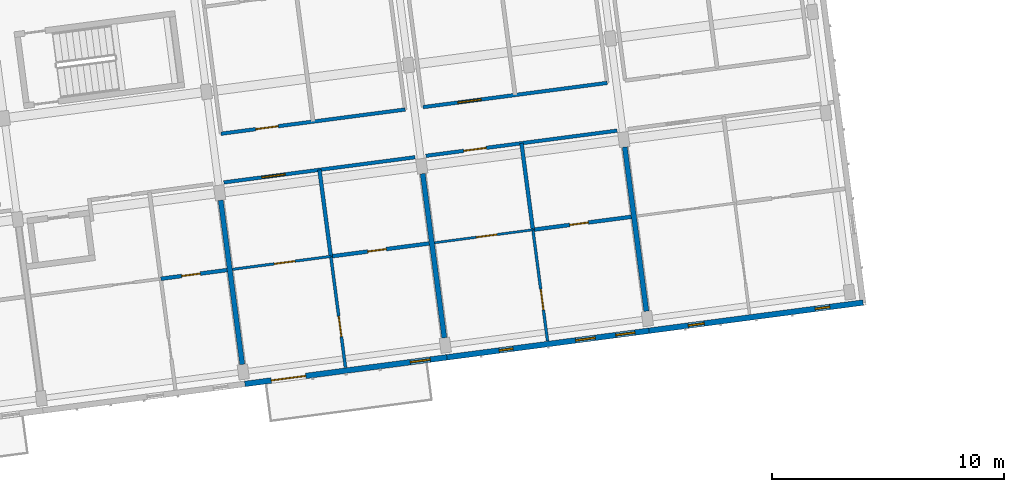
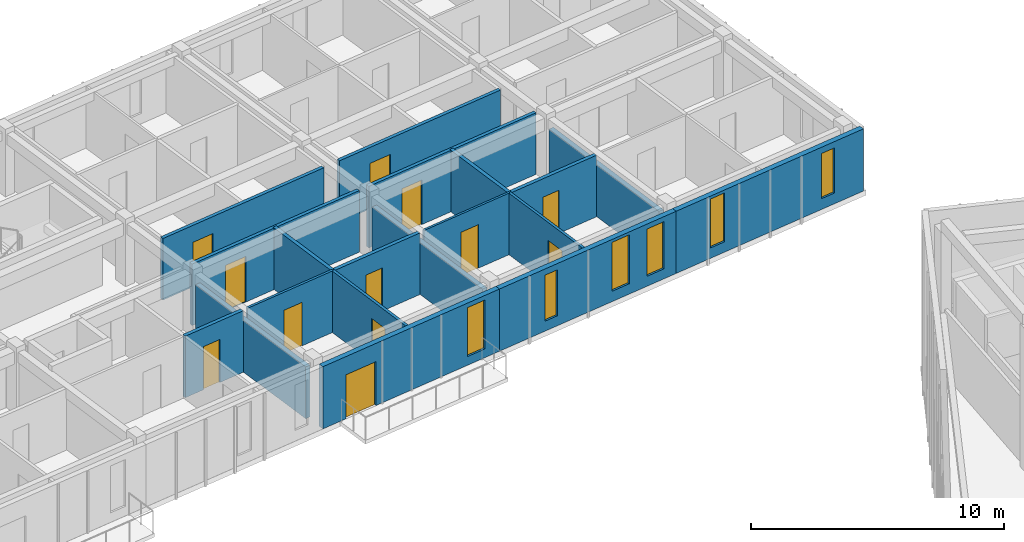
# One storey, part 20 of 45: 19 walls, 12 doors, 6 windows, 18 openings.
"""IFC4 building model written with IfcOpenShell, lengths in metres."""

from ifc_helpers import new_model, si_unit, direction, frame, frame_2d, origin, place, context, subcontext, project, spatial, rectangle, extrude, material, layer, layer_set, type_object, element, fill, save


model = new_model("IFC4")

# Units and contexts
model_context = context("Model", 3, precision=1e-05, world=origin(), true_north=direction((0.0, 1.0)))
body_context = subcontext(model_context, "Body", "Model", "MODEL_VIEW")
ifc_project = project(units=[si_unit("LENGTHUNIT", "METRE"), si_unit("AREAUNIT", "SQUARE_METRE"), si_unit("VOLUMEUNIT", "CUBIC_METRE"), si_unit("PLANEANGLEUNIT", "RADIAN"), si_unit("MASSUNIT", "GRAM", prefix="KILO")], contexts=[model_context])

# Site, building, storey
site_placement = place(None, origin())
site = spatial("IfcSite", under=ifc_project, at=site_placement, CompositionType="ELEMENT")
building_placement = place(site_placement, origin())
building = spatial("IfcBuilding", under=site, at=building_placement, Name="Kestramere Prow Commons", CompositionType="ELEMENT")
storey_placement = place(building_placement, frame((0.0, 0.0, 31.14990234375)))
storey = spatial("IfcBuildingStorey", under=building, at=storey_placement, Name="L09", CompositionType="ELEMENT", Elevation=31.14990234375)

# Wall, openings, door, window
ifc_material_1 = material(Name="Fluoropolymer Standing-Seam Zinc-Aluminium Cladding", Category="aluminium")
ifc_layer_1 = layer(ifc_material_1, 0.239990234375)
ifc_layer_set_1 = layer_set([ifc_layer_1], Name="Fluoropolymer Standing-Seam Zinc-Aluminium Cladding")
wall_type_1 = type_object("IfcWallType", Name="EW-SEAM-240", PredefinedType="SOLIDWALL", material=ifc_layer_set_1)
wall_1_placement = place(storey_placement, frame((46.16748046875, 76.073974609375, 0.0), z_axis=(0.0, 0.0, 1.0), x_axis=(-0.991444377792, -0.130529865336, 0.0)))
wall_1 = element("IfcWall", 1, at=wall_1_placement, inside=storey, type_object=wall_type_1, Name="Block A L09 South Standing-Seam Wall 4", PredefinedType="SOLIDWALL", context=body_context, shape_type="SweptSolid", body=[
    extrude(rectangle(XDim=8.800048828125, YDim=0.239990234375, at=frame_2d((4.39990234375, 0.0))), origin(), (0.0, 0.0, 1.0), 3.0),
])
opening_1_placement = place(wall_1_placement, frame((6.14697265625, 0.0, 0.0)))
opening_1 = element("IfcOpeningElement", 2, at=opening_1_placement, cuts=wall_1, Name="Opening GD-BAL-01", PredefinedType="OPENING", context=body_context, shape_type="SweptSolid", body=[
    extrude(rectangle(XDim=1.5, YDim=2.1201171875, at=frame_2d((0.75, 1.06005859375))), frame((0.0, 0.135009765625, 0.0), z_axis=(0.0, -1.0, 0.0), x_axis=(1.0, 0.0, 0.0)), (0.0, 0.0, 1.0), 0.27001953125),
])
opening_2_placement = place(wall_1_placement, frame((0.72998046875, 0.0, 0.419921875)))
opening_2 = element("IfcOpeningElement", 3, at=opening_2_placement, cuts=wall_1, Name="Opening WN-15", PredefinedType="OPENING", context=body_context, shape_type="SweptSolid", body=[
    extrude(rectangle(XDim=0.860107421875, YDim=2.360107421875, at=frame_2d((0.43017578125, 1.18017578125))), frame((0.0, 0.135009765625, 0.0), z_axis=(0.0, -1.0, 0.0), x_axis=(1.0, 0.0, 0.0)), (0.0, 0.0, 1.0), 0.27001953125),
])
ifc_material_2 = material(Name="Thermally-Broken Anodised Aluminium Glazed", Category="aluminium")
door_type_1 = type_object("IfcDoorType", Name="GD-BAL-1500", OperationType="SLIDING_TO_RIGHT", PredefinedType="DOOR", material=ifc_material_2)
door_1_placement = place(opening_1_placement, origin())
door_1 = element("IfcDoor", 4, at=door_1_placement, inside=storey, type_object=door_type_1, Name="Block A L09 Balcony Door 4", OperationType="SLIDING_TO_RIGHT", OverallHeight=2.1201171875, OverallWidth=1.5, PredefinedType="DOOR", context=body_context, shape_type="SweptSolid", body=[
    extrude(rectangle(XDim=1.5, YDim=2.1201171875, at=frame_2d((0.75, 1.06005859375))), frame((0.0, 0.02490234375, 0.0), z_axis=(0.0, -1.0, 0.0), x_axis=(1.0, 0.0, 0.0)), (0.0, 0.0, 1.0), 0.050048828125),
])
fill(opening_1, door_1)
ifc_material_3 = material(Name="Low-E Laminated Double Glazing", Category="glass")
window_type_1 = type_object("IfcWindowType", Name="WN-NAR-860A", PartitioningType="DOUBLE_PANEL_VERTICAL", PredefinedType="WINDOW", material=ifc_material_3)
window_1_placement = place(opening_2_placement, origin())
window_1 = element("IfcWindow", 5, at=window_1_placement, inside=storey, type_object=window_type_1, Name="WN-A-L09-SR-3", OverallHeight=2.360107421875, OverallWidth=0.860107421875, PartitioningType="SINGLE_PANEL", PredefinedType="WINDOW", context=body_context, shape_type="SweptSolid", body=[
    extrude(rectangle(XDim=0.860107421875, YDim=2.360107421875, at=frame_2d((0.43017578125, 1.18017578125))), frame((0.0, 0.030029296875, 0.0), z_axis=(0.0, -1.0, 0.0), x_axis=(1.0, 0.0, 0.0)), (0.0, 0.0, 1.0), 0.06005859375),
])
fill(opening_2, window_1)

# Wall, openings, windows
wall_2_placement = place(storey_placement, frame((54.89208984375, 77.22265625, 0.0), z_axis=(0.0, 0.0, 1.0), x_axis=(-0.991443905089, -0.130533455715, 0.0)))
wall_2 = element("IfcWall", 6, at=wall_2_placement, inside=storey, type_object=wall_type_1, Name="Block A L09 South Standing-Seam Wall 5", PredefinedType="SOLIDWALL", context=body_context, shape_type="SweptSolid", body=[
    extrude(rectangle(XDim=8.7998046875, YDim=0.239990234375, at=frame_2d((4.39990234375, 0.0))), origin(), (0.0, 0.0, 1.0), 3.0),
])
opening_3_placement = place(wall_2_placement, frame((0.610107421875, 0.0, 0.47998046875)))
opening_3 = element("IfcOpeningElement", 7, at=opening_3_placement, cuts=wall_2, Name="Opening WN-14", PredefinedType="OPENING", context=body_context, shape_type="SweptSolid", body=[
    extrude(rectangle(XDim=0.840087890625, YDim=2.280029296875, at=frame_2d((0.419921875, 1.14013671875))), frame((0.0, 0.135009765625, 0.0), z_axis=(0.0, -1.0, 0.0), x_axis=(1.0, 0.0, 0.0)), (0.0, 0.0, 1.0), 0.27001953125),
])
opening_4_placement = place(wall_2_placement, frame((2.3359375, 0.0, 0.5)))
opening_4 = element("IfcOpeningElement", 8, at=opening_4_placement, cuts=wall_2, Name="Opening WN-15", PredefinedType="OPENING", context=body_context, shape_type="SweptSolid", body=[
    extrude(rectangle(XDim=0.860107421875, YDim=2.360107421875, at=frame_2d((0.43017578125, 1.18017578125))), frame((0.0, 0.135009765625, 0.0), z_axis=(0.0, -1.0, 0.0), x_axis=(1.0, 0.0, 0.0)), (0.0, 0.0, 1.0), 0.27001953125),
])
opening_5_placement = place(wall_2_placement, frame((5.923095703125, 0.0, 0.47998046875)))
opening_5 = element("IfcOpeningElement", 9, at=opening_5_placement, cuts=wall_2, Name="Opening WN-02", PredefinedType="OPENING", context=body_context, shape_type="SweptSolid", body=[
    extrude(rectangle(XDim=0.60009765625, YDim=2.219970703125, at=frame_2d((0.300048828125, 1.10986328125))), frame((0.0, 0.135009765625, 0.0), z_axis=(0.0, -1.0, 0.0), x_axis=(1.0, 0.0, 0.0)), (0.0, 0.0, 1.0), 0.27001953125),
])
window_type_2 = type_object("IfcWindowType", Name="WN-NAR-600A", PartitioningType="SINGLE_PANEL", PredefinedType="WINDOW", material=ifc_material_3)
window_2_placement = place(opening_5_placement, origin())
window_2 = element("IfcWindow", 10, at=window_2_placement, inside=storey, type_object=window_type_2, Name="WN-A-L09-S-4-10", OverallHeight=2.219970703125, OverallWidth=0.60009765625, PartitioningType="SINGLE_PANEL", PredefinedType="WINDOW", context=body_context, shape_type="SweptSolid", body=[
    extrude(rectangle(XDim=0.60009765625, YDim=2.219970703125, at=frame_2d((0.300048828125, 1.10986328125))), frame((0.0, 0.030029296875, 0.0), z_axis=(0.0, -1.0, 0.0), x_axis=(1.0, 0.0, 0.0)), (0.0, 0.0, 1.0), 0.06005859375),
])
fill(opening_5, window_2)
window_type_3 = type_object("IfcWindowType", Name="WN-NAR-840A", PartitioningType="DOUBLE_PANEL_VERTICAL", PredefinedType="WINDOW", material=ifc_material_3)
window_3_placement = place(opening_3_placement, origin())
window_3 = element("IfcWindow", 11, at=window_3_placement, inside=storey, type_object=window_type_3, Name="WN-A-L09-S-4-00", OverallHeight=2.280029296875, OverallWidth=0.840087890625, PartitioningType="SINGLE_PANEL", PredefinedType="WINDOW", context=body_context, shape_type="SweptSolid", body=[
    extrude(rectangle(XDim=0.840087890625, YDim=2.280029296875, at=frame_2d((0.419921875, 1.14013671875))), frame((0.0, 0.030029296875, 0.0), z_axis=(0.0, -1.0, 0.0), x_axis=(1.0, 0.0, 0.0)), (0.0, 0.0, 1.0), 0.06005859375),
])
fill(opening_3, window_3)
window_4_placement = place(opening_4_placement, origin())
window_4 = element("IfcWindow", 12, at=window_4_placement, inside=storey, type_object=window_type_1, Name="WN-A-L09-S-4-01", OverallHeight=2.360107421875, OverallWidth=0.860107421875, PartitioningType="SINGLE_PANEL", PredefinedType="WINDOW", context=body_context, shape_type="SweptSolid", body=[
    extrude(rectangle(XDim=0.860107421875, YDim=2.360107421875, at=frame_2d((0.43017578125, 1.18017578125))), frame((0.0, 0.030029296875, 0.0), z_axis=(0.0, -1.0, 0.0), x_axis=(1.0, 0.0, 0.0)), (0.0, 0.0, 1.0), 0.06005859375),
])
fill(opening_4, window_4)

wall_3_placement = place(storey_placement, frame((64.13720703125, 78.439697265625, 0.0), z_axis=(0.0, 0.0, 1.0), x_axis=(-0.991446273426, -0.130515466173, 0.0)))
wall_3 = element("IfcWall", 13, at=wall_3_placement, inside=storey, type_object=wall_type_1, Name="Block A L09 South Standing-Seam Wall 6", PredefinedType="SOLIDWALL", context=body_context, shape_type="SweptSolid", body=[
    extrude(rectangle(XDim=9.324951171875, YDim=0.239990234375, at=frame_2d((4.66259765625, 0.0))), origin(), (0.0, 0.0, 1.0), 3.0),
])
opening_6_placement = place(wall_3_placement, frame((1.447021484375, 0.0, 0.52001953125)))
opening_6 = element("IfcOpeningElement", 14, at=opening_6_placement, cuts=wall_3, Name="Opening WN-04", PredefinedType="OPENING", context=body_context, shape_type="SweptSolid", body=[
    extrude(rectangle(XDim=0.639892578125, YDim=2.179931640625, at=frame_2d((0.31982421875, 1.08984375))), frame((0.0, 0.135009765625, 0.0), z_axis=(0.0, -1.0, 0.0), x_axis=(1.0, 0.0, 0.0)), (0.0, 0.0, 1.0), 0.27001953125),
])
opening_7_placement = place(wall_3_placement, frame((6.91162109375, 0.0, 0.5)))
opening_7 = element("IfcOpeningElement", 15, at=opening_7_placement, cuts=wall_3, Name="Opening WN-07", PredefinedType="OPENING", context=body_context, shape_type="SweptSolid", body=[
    extrude(rectangle(XDim=0.699951171875, YDim=2.360107421875, at=frame_2d((0.35009765625, 1.18017578125))), frame((0.0, 0.135009765625, 0.0), z_axis=(0.0, -1.0, 0.0), x_axis=(1.0, 0.0, 0.0)), (0.0, 0.0, 1.0), 0.27001953125),
])
window_type_4 = type_object("IfcWindowType", Name="WN-NAR-640A", PartitioningType="SINGLE_PANEL", PredefinedType="WINDOW", material=ifc_material_3)
window_5_placement = place(opening_6_placement, origin())
window_5 = element("IfcWindow", 16, at=window_5_placement, inside=storey, type_object=window_type_4, Name="WN-A-L09-S-5-00", OverallHeight=2.179931640625, OverallWidth=0.639892578125, PartitioningType="SINGLE_PANEL", PredefinedType="WINDOW", context=body_context, shape_type="SweptSolid", body=[
    extrude(rectangle(XDim=0.639892578125, YDim=2.179931640625, at=frame_2d((0.31982421875, 1.08984375))), frame((0.0, 0.030029296875, 0.0), z_axis=(0.0, -1.0, 0.0), x_axis=(1.0, 0.0, 0.0)), (0.0, 0.0, 1.0), 0.06005859375),
])
fill(opening_6, window_5)
window_type_5 = type_object("IfcWindowType", Name="WN-NAR-700A", PartitioningType="SINGLE_PANEL", PredefinedType="WINDOW", material=ifc_material_3)
window_6_placement = place(opening_7_placement, origin())
window_6 = element("IfcWindow", 17, at=window_6_placement, inside=storey, type_object=window_type_5, Name="WN-A-L09-S-5-10", OverallHeight=2.360107421875, OverallWidth=0.699951171875, PartitioningType="SINGLE_PANEL", PredefinedType="WINDOW", context=body_context, shape_type="SweptSolid", body=[
    extrude(rectangle(XDim=0.699951171875, YDim=2.360107421875, at=frame_2d((0.35009765625, 1.18017578125))), frame((0.0, 0.030029296875, 0.0), z_axis=(0.0, -1.0, 0.0), x_axis=(1.0, 0.0, 0.0)), (0.0, 0.0, 1.0), 0.06005859375),
])
fill(opening_7, window_6)

# Wall, opening, door
ifc_material_4 = material(Name="Fire-Rated Calcium Silicate Wall")
ifc_layer_2 = layer(ifc_material_4, 0.155029296875)
ifc_layer_set_2 = layer_set([ifc_layer_2], Name="Fire-Rated Calcium Silicate Wall")
wall_type_2 = type_object("IfcWallType", Name="W-FIRE-150", PredefinedType="PARTITIONING", material=ifc_layer_set_2)
wall_4_placement = place(storey_placement, frame((36.5341796875, 83.626220703125, 0.0), z_axis=(0.0, 0.0, 1.0), x_axis=(0.991443119217, 0.13053942453, 0.0)))
wall_4 = element("IfcWall", 18, at=wall_4_placement, inside=storey, type_object=wall_type_2, Name="Interior Partition PW-A-L09-CS-3", PredefinedType="PARTITIONING", context=body_context, shape_type="SweptSolid", body=[
    extrude(rectangle(XDim=8.330078125, YDim=0.155029296875, at=frame_2d((4.1650390625, 0.0))), origin(), (0.0, 0.0, 1.0), 2.97021484375),
])
opening_8_placement = place(wall_4_placement, frame((1.655029296875, 0.0, 0.0)))
opening_8 = element("IfcOpeningElement", 19, at=opening_8_placement, cuts=wall_4, Name="Opening ID-05", PredefinedType="OPENING", context=body_context, shape_type="SweptSolid", body=[
    extrude(rectangle(XDim=1.02001953125, YDim=2.199951171875, at=frame_2d((0.510009765625, 1.10009765625))), frame((0.0, 0.092529296875, 0.0), z_axis=(0.0, -1.0, 0.0), x_axis=(1.0, 0.0, 0.0)), (0.0, 0.0, 1.0), 0.18505859375),
])
ifc_material_5 = material(Name="Hardwood Fire-Rated Flat Entrance Door", Category="wood")
door_type_2 = type_object("IfcDoorType", Name="FD-ENT-02", OperationType="NOTDEFINED", PredefinedType="DOOR", material=ifc_material_5)
door_2_placement = place(opening_8_placement, origin())
door_2 = element("IfcDoor", 20, at=door_2_placement, inside=storey, type_object=door_type_2, Name="Interior Door DR-A-L09-ENT-S3", OperationType="SINGLE_SWING_LEFT", OverallHeight=2.199951171875, OverallWidth=1.02001953125, PredefinedType="DOOR", context=body_context, shape_type="SweptSolid", body=[
    extrude(rectangle(XDim=1.02001953125, YDim=2.199951171875, at=frame_2d((0.510009765625, 1.10009765625))), frame((0.0, 0.02490234375, 0.0), z_axis=(0.0, -1.0, 0.0), x_axis=(1.0, 0.0, 0.0)), (0.0, 0.0, 1.0), 0.050048828125),
])
fill(opening_8, door_2)

wall_5_placement = place(storey_placement, frame((45.259033203125, 84.77490234375, 0.0), z_axis=(0.0, 0.0, 1.0), x_axis=(0.991446412738, 0.130514407897, 0.0)))
wall_5 = element("IfcWall", 21, at=wall_5_placement, inside=storey, type_object=wall_type_2, Name="Interior Partition PW-A-L09-CS-4", PredefinedType="PARTITIONING", context=body_context, shape_type="SweptSolid", body=[
    extrude(rectangle(XDim=8.329833984375, YDim=0.155029296875, at=frame_2d((4.1650390625, 0.0))), origin(), (0.0, 0.0, 1.0), 2.97021484375),
])
opening_9_placement = place(wall_5_placement, frame((1.655029296875, 0.0, 0.0)))
opening_9 = element("IfcOpeningElement", 22, at=opening_9_placement, cuts=wall_5, Name="Opening ID-04", PredefinedType="OPENING", context=body_context, shape_type="SweptSolid", body=[
    extrude(rectangle(XDim=0.97998046875, YDim=2.14990234375, at=frame_2d((0.489990234375, 1.074951171875))), frame((0.0, 0.092529296875, 0.0), z_axis=(0.0, -1.0, 0.0), x_axis=(1.0, 0.0, 0.0)), (0.0, 0.0, 1.0), 0.18505859375),
])
door_type_3 = type_object("IfcDoorType", Name="FD-ENT-01", OperationType="NOTDEFINED", PredefinedType="DOOR", material=ifc_material_5)
door_3_placement = place(opening_9_placement, origin())
door_3 = element("IfcDoor", 23, at=door_3_placement, inside=storey, type_object=door_type_3, Name="Interior Door DR-A-L09-ENT-S4", OperationType="SINGLE_SWING_RIGHT", OverallHeight=2.14990234375, OverallWidth=0.97998046875, PredefinedType="DOOR", context=body_context, shape_type="SweptSolid", body=[
    extrude(rectangle(XDim=0.97998046875, YDim=2.14990234375, at=frame_2d((0.489990234375, 1.074951171875))), frame((0.0, 0.02490234375, 0.0), z_axis=(0.0, -1.0, 0.0), x_axis=(1.0, 0.0, 0.0)), (0.0, 0.0, 1.0), 0.050048828125),
])
fill(opening_9, door_3)

wall_6_placement = place(storey_placement, frame((36.413818359375, 85.728515625, 0.0), z_axis=(0.0, 0.0, 1.0), x_axis=(0.991444034844, 0.130532470184, 0.0)))
wall_6 = element("IfcWall", 24, at=wall_6_placement, inside=storey, type_object=wall_type_2, Name="Interior Partition PW-A-L09-CN-3", PredefinedType="PARTITIONING", context=body_context, shape_type="SweptSolid", body=[
    extrude(rectangle(XDim=8.02001953125, YDim=0.155029296875, at=frame_2d((4.010009765625, 0.0))), origin(), (0.0, 0.0, 1.0), 2.97021484375),
])
opening_10_placement = place(wall_6_placement, frame((1.5048828125, 0.0, 0.0)))
opening_10 = element("IfcOpeningElement", 25, at=opening_10_placement, cuts=wall_6, Name="Opening ID-04", PredefinedType="OPENING", context=body_context, shape_type="SweptSolid", body=[
    extrude(rectangle(XDim=0.97998046875, YDim=2.14990234375, at=frame_2d((0.489990234375, 1.074951171875))), frame((0.0, 0.092529296875, 0.0), z_axis=(0.0, -1.0, 0.0), x_axis=(1.0, 0.0, 0.0)), (0.0, 0.0, 1.0), 0.18505859375),
])
door_4_placement = place(opening_10_placement, origin())
door_4 = element("IfcDoor", 26, at=door_4_placement, inside=storey, type_object=door_type_3, Name="Interior Door DR-A-L09-ENT-N3", OperationType="SINGLE_SWING_RIGHT", OverallHeight=2.14990234375, OverallWidth=0.97998046875, PredefinedType="DOOR", context=body_context, shape_type="SweptSolid", body=[
    extrude(rectangle(XDim=0.97998046875, YDim=2.14990234375, at=frame_2d((0.489990234375, 1.074951171875))), frame((0.0, 0.02490234375, 0.0), z_axis=(0.0, -1.0, 0.0), x_axis=(1.0, 0.0, 0.0)), (0.0, 0.0, 1.0), 0.050048828125),
])
fill(opening_10, door_4)

wall_7_placement = place(storey_placement, frame((45.138427734375, 86.877197265625, 0.0), z_axis=(0.0, 0.0, 1.0), x_axis=(0.991444034844, 0.130532470184, 0.0)))
wall_7 = element("IfcWall", 27, at=wall_7_placement, inside=storey, type_object=wall_type_2, Name="Interior Partition PW-A-L09-CN-4", PredefinedType="PARTITIONING", context=body_context, shape_type="SweptSolid", body=[
    extrude(rectangle(XDim=8.02001953125, YDim=0.155029296875, at=frame_2d((4.010009765625, 0.0))), origin(), (0.0, 0.0, 1.0), 2.97021484375),
])
opening_11_placement = place(wall_7_placement, frame((1.5048828125, 0.0, 0.0)))
opening_11 = element("IfcOpeningElement", 28, at=opening_11_placement, cuts=wall_7, Name="Opening ID-05", PredefinedType="OPENING", context=body_context, shape_type="SweptSolid", body=[
    extrude(rectangle(XDim=1.02001953125, YDim=2.199951171875, at=frame_2d((0.510009765625, 1.10009765625))), frame((0.0, 0.092529296875, 0.0), z_axis=(0.0, -1.0, 0.0), x_axis=(1.0, 0.0, 0.0)), (0.0, 0.0, 1.0), 0.18505859375),
])
door_5_placement = place(opening_11_placement, origin())
door_5 = element("IfcDoor", 29, at=door_5_placement, inside=storey, type_object=door_type_2, Name="Interior Door DR-A-L09-ENT-N4", OperationType="SINGLE_SWING_LEFT", OverallHeight=2.199951171875, OverallWidth=1.02001953125, PredefinedType="DOOR", context=body_context, shape_type="SweptSolid", body=[
    extrude(rectangle(XDim=1.02001953125, YDim=2.199951171875, at=frame_2d((0.510009765625, 1.10009765625))), frame((0.0, 0.02490234375, 0.0), z_axis=(0.0, -1.0, 0.0), x_axis=(1.0, 0.0, 0.0)), (0.0, 0.0, 1.0), 0.050048828125),
])
fill(opening_11, door_5)

ifc_material_6 = material(Name="Gypsum Acoustic Drywall")
ifc_layer_3 = layer(ifc_material_6, 0.10009765625)
ifc_layer_set_3 = layer_set([ifc_layer_3], Name="Gypsum Acoustic Drywall")
wall_type_3 = type_object("IfcWallType", Name="W-PART-100", PredefinedType="PARTITIONING", material=ifc_layer_set_3)
wall_8_placement = place(storey_placement, frame((45.632080078125, 81.021484375, 0.0), z_axis=(0.0, 0.0, 1.0), x_axis=(0.991444014242, 0.130532626667, 0.0)))
wall_8 = element("IfcWall", 30, at=wall_8_placement, inside=storey, type_object=wall_type_3, Name="Interior Partition PW-A-L09-MIDS1-4", PredefinedType="PARTITIONING", context=body_context, shape_type="SweptSolid", body=[
    extrude(rectangle(XDim=4.284912109375, YDim=0.10009765625, at=frame_2d((2.142578125, 0.0))), origin(), (0.0, 0.0, 1.0), 2.97021484375),
])
opening_12_placement = place(wall_8_placement, frame((1.824951171875, 0.0, 0.0)))
opening_12 = element("IfcOpeningElement", 31, at=opening_12_placement, cuts=wall_8, Name="Opening ID-10", PredefinedType="OPENING", context=body_context, shape_type="SweptSolid", body=[
    extrude(rectangle(XDim=0.8798828125, YDim=2.10009765625, at=frame_2d((0.43994140625, 1.050048828125))), frame((0.0, 0.06494140625, 0.0), z_axis=(0.0, -1.0, 0.0), x_axis=(1.0, 0.0, 0.0)), (0.0, 0.0, 1.0), 0.130126953125),
])
ifc_material_7 = material(Name="Engineered Timber Bedroom Door", Category="wood")
door_type_4 = type_object("IfcDoorType", Name="D-RM-03", OperationType="NOTDEFINED", PredefinedType="DOOR", material=ifc_material_7)
door_6_placement = place(opening_12_placement, origin())
door_6 = element("IfcDoor", 32, at=door_6_placement, inside=storey, type_object=door_type_4, Name="Interior Door DR-A-L09-KL-S4", OperationType="SINGLE_SWING_RIGHT", OverallHeight=2.10009765625, OverallWidth=0.8798828125, PredefinedType="DOOR", context=body_context, shape_type="SweptSolid", body=[
    extrude(rectangle(XDim=0.8798828125, YDim=2.10009765625, at=frame_2d((0.43994140625, 1.050048828125))), frame((0.0, 0.02490234375, 0.0), z_axis=(0.0, -1.0, 0.0), x_axis=(1.0, 0.0, 0.0)), (0.0, 0.0, 1.0), 0.050048828125),
])
fill(opening_12, door_6)

ifc_layer_4 = layer(ifc_material_6, 0.110107421875)
ifc_layer_set_4 = layer_set([ifc_layer_4], Name="Gypsum Acoustic Drywall")
wall_type_4 = type_object("IfcWallType", Name="W-PART-110", PredefinedType="PARTITIONING", material=ifc_layer_set_4)
wall_9_placement = place(storey_placement, frame((36.9072265625, 79.872802734375, 0.0), z_axis=(0.0, 0.0, 1.0), x_axis=(0.991444984965, 0.130525253451, 0.0)))
wall_9 = element("IfcWall", 33, at=wall_9_placement, inside=storey, type_object=wall_type_4, Name="Interior Partition PW-A-L09-MIDS1-3", PredefinedType="PARTITIONING", context=body_context, shape_type="SweptSolid", body=[
    extrude(rectangle(XDim=4.28515625, YDim=0.110107421875, at=frame_2d((2.142578125, 0.0))), origin(), (0.0, 0.0, 1.0), 2.97021484375),
])
opening_13_placement = place(wall_9_placement, frame((1.824951171875, 0.0, 0.0)))
opening_13 = element("IfcOpeningElement", 34, at=opening_13_placement, cuts=wall_9, Name="Opening ID-08", PredefinedType="OPENING", context=body_context, shape_type="SweptSolid", body=[
    extrude(rectangle(XDim=0.89990234375, YDim=2.10009765625, at=frame_2d((0.449951171875, 1.050048828125))), frame((0.0, 0.070068359375, 0.0), z_axis=(0.0, -1.0, 0.0), x_axis=(1.0, 0.0, 0.0)), (0.0, 0.0, 1.0), 0.14013671875),
])
ifc_material_8 = material(Name="Engineered Timber Flush Door", Category="wood")
door_type_5 = type_object("IfcDoorType", Name="D-RM-01", OperationType="NOTDEFINED", PredefinedType="DOOR", material=ifc_material_8)
door_7_placement = place(opening_13_placement, origin())
door_7 = element("IfcDoor", 35, at=door_7_placement, inside=storey, type_object=door_type_5, Name="Interior Door DR-A-L09-KL-S3", OperationType="SINGLE_SWING_RIGHT", OverallHeight=2.10009765625, OverallWidth=0.89990234375, PredefinedType="DOOR", context=body_context, shape_type="SweptSolid", body=[
    extrude(rectangle(XDim=0.89990234375, YDim=2.10009765625, at=frame_2d((0.449951171875, 1.050048828125))), frame((0.0, 0.02490234375, 0.0), z_axis=(0.0, -1.0, 0.0), x_axis=(1.0, 0.0, 0.0)), (0.0, 0.0, 1.0), 0.050048828125),
])
fill(opening_13, door_7)

ifc_material_9 = material(Name="Lightweight Blockwork and Plaster", Category="masonry")
ifc_layer_5 = layer(ifc_material_9, 0.1201171875)
ifc_layer_set_5 = layer_set([ifc_layer_5], Name="Lightweight Blockwork and Plaster")
wall_type_5 = type_object("IfcWallType", Name="W-PART-120", PredefinedType="PARTITIONING", material=ifc_layer_set_5)
wall_10_placement = place(storey_placement, frame((50.51220703125, 76.7822265625, 0.0), z_axis=(0.0, 0.0, 1.0), x_axis=(-0.130544545786, 0.991442444908, 0.0)))
wall_10 = element("IfcWall", 36, at=wall_10_placement, inside=storey, type_object=wall_type_5, Name="Interior Partition PW-A-L09-LB-S4", PredefinedType="PARTITIONING", context=body_context, shape_type="SweptSolid", body=[
    extrude(rectangle(XDim=4.840087890625, YDim=0.1201171875, at=frame_2d((2.419921875, 0.0))), origin(), (0.0, 0.0, 1.0), 2.97021484375),
])
opening_14_placement = place(wall_10_placement, frame((1.35009765625, 0.0, 0.0)))
opening_14 = element("IfcOpeningElement", 37, at=opening_14_placement, cuts=wall_10, Name="Opening ID-08", PredefinedType="OPENING", context=body_context, shape_type="SweptSolid", body=[
    extrude(rectangle(XDim=0.89990234375, YDim=2.10009765625, at=frame_2d((0.449951171875, 1.050048828125))), frame((0.0, 0.074951171875, 0.0), z_axis=(0.0, -1.0, 0.0), x_axis=(1.0, 0.0, 0.0)), (0.0, 0.0, 1.0), 0.150146484375),
])
door_8_placement = place(opening_14_placement, origin())
door_8 = element("IfcDoor", 38, at=door_8_placement, inside=storey, type_object=door_type_5, Name="Interior Door DR-A-L09-BED-S4", OperationType="SINGLE_SWING_LEFT", OverallHeight=2.10009765625, OverallWidth=0.89990234375, PredefinedType="DOOR", context=body_context, shape_type="SweptSolid", body=[
    extrude(rectangle(XDim=0.89990234375, YDim=2.10009765625, at=frame_2d((0.449951171875, 1.050048828125))), frame((0.0, 0.02490234375, 0.0), z_axis=(0.0, -1.0, 0.0), x_axis=(1.0, 0.0, 0.0)), (0.0, 0.0, 1.0), 0.050048828125),
])
fill(opening_14, door_8)

ifc_layer_6 = layer(ifc_material_9, 0.1298828125)
ifc_layer_set_6 = layer_set([ifc_layer_6], Name="Lightweight Blockwork and Plaster")
wall_type_6 = type_object("IfcWallType", Name="W-PART-130", PredefinedType="PARTITIONING", material=ifc_layer_set_6)
wall_11_placement = place(storey_placement, frame((41.787353515625, 75.633544921875, 0.0), z_axis=(0.0, 0.0, 1.0), x_axis=(-0.130494962676, 0.991448972321, 0.0)))
wall_11 = element("IfcWall", 39, at=wall_11_placement, inside=storey, type_object=wall_type_6, Name="Interior Partition PW-A-L09-LB-S3", PredefinedType="PARTITIONING", context=body_context, shape_type="SweptSolid", body=[
    extrude(rectangle(XDim=4.840087890625, YDim=0.1298828125, at=frame_2d((2.419921875, 0.0))), origin(), (0.0, 0.0, 1.0), 2.97021484375),
])
opening_15_placement = place(wall_11_placement, frame((1.35009765625, 0.0, 0.0)))
opening_15 = element("IfcOpeningElement", 40, at=opening_15_placement, cuts=wall_11, Name="Opening ID-10", PredefinedType="OPENING", context=body_context, shape_type="SweptSolid", body=[
    extrude(rectangle(XDim=0.8798828125, YDim=2.10009765625, at=frame_2d((0.43994140625, 1.050048828125))), frame((0.0, 0.079833984375, 0.0), z_axis=(0.0, -1.0, 0.0), x_axis=(1.0, 0.0, 0.0)), (0.0, 0.0, 1.0), 0.159912109375),
])
door_9_placement = place(opening_15_placement, origin())
door_9 = element("IfcDoor", 41, at=door_9_placement, inside=storey, type_object=door_type_4, Name="Interior Door DR-A-L09-BED-S3", OperationType="SINGLE_SWING_RIGHT", OverallHeight=2.10009765625, OverallWidth=0.8798828125, PredefinedType="DOOR", context=body_context, shape_type="SweptSolid", body=[
    extrude(rectangle(XDim=0.8798828125, YDim=2.10009765625, at=frame_2d((0.43994140625, 1.050048828125))), frame((0.0, 0.02490234375, 0.0), z_axis=(0.0, -1.0, 0.0), x_axis=(1.0, 0.0, 0.0)), (0.0, 0.0, 1.0), 0.050048828125),
])
fill(opening_15, door_9)

ifc_material_10 = material(Name="Waterproof Sanitary Masonry Wall", Category="masonry")
ifc_layer_7 = layer(ifc_material_10, 0.1650390625)
ifc_layer_set_7 = layer_set([ifc_layer_7], Name="Waterproof Sanitary Masonry Wall")
wall_type_7 = type_object("IfcWallType", Name="W-PLUMB-150", PredefinedType="PLUMBINGWALL", material=ifc_layer_set_7)
wall_12_placement = place(storey_placement, frame((33.81396484375, 79.465576171875, 0.0), z_axis=(0.0, 0.0, 1.0), x_axis=(0.9914456672, 0.130520071219, 0.0)))
wall_12 = element("IfcWall", 42, at=wall_12_placement, inside=storey, type_object=wall_type_7, Name="Interior Partition PW-A-L09-MIDS2-2", PredefinedType="PLUMBINGWALL", context=body_context, shape_type="SweptSolid", body=[
    extrude(rectangle(XDim=2.889892578125, YDim=0.1650390625, at=frame_2d((1.44482421875, 0.0))), origin(), (0.0, 0.0, 1.0), 2.97021484375),
])
opening_16_placement = place(wall_12_placement, frame((0.903076171875, 0.0, 0.0)))
opening_16 = element("IfcOpeningElement", 43, at=opening_16_placement, cuts=wall_12, Name="Opening ID-11", PredefinedType="OPENING", context=body_context, shape_type="SweptSolid", body=[
    extrude(rectangle(XDim=0.820068359375, YDim=2.080078125, at=frame_2d((0.41015625, 1.0400390625))), frame((0.0, 0.097412109375, 0.0), z_axis=(0.0, -1.0, 0.0), x_axis=(1.0, 0.0, 0.0)), (0.0, 0.0, 1.0), 0.195068359375),
])
ifc_material_11 = material(Name="Moisture-Resistant Timber Bathroom Door", Category="wood")
door_type_6 = type_object("IfcDoorType", Name="D-BT-01", OperationType="NOTDEFINED", PredefinedType="DOOR", material=ifc_material_11)
door_10_placement = place(opening_16_placement, origin())
door_10 = element("IfcDoor", 44, at=door_10_placement, inside=storey, type_object=door_type_6, Name="Interior Door DR-A-L09-BTH-S2", OperationType="SINGLE_SWING_LEFT", OverallHeight=2.080078125, OverallWidth=0.820068359375, PredefinedType="DOOR", context=body_context, shape_type="SweptSolid", body=[
    extrude(rectangle(XDim=0.820068359375, YDim=2.080078125, at=frame_2d((0.41015625, 1.0400390625))), frame((0.0, 0.02490234375, 0.0), z_axis=(0.0, -1.0, 0.0), x_axis=(1.0, 0.0, 0.0)), (0.0, 0.0, 1.0), 0.050048828125),
])
fill(opening_16, door_10)

wall_13_placement = place(storey_placement, frame((41.15576171875, 80.43212890625, 0.0), z_axis=(0.0, 0.0, 1.0), x_axis=(0.991444014242, 0.130532626667, 0.0)))
wall_13 = element("IfcWall", 45, at=wall_13_placement, inside=storey, type_object=wall_type_7, Name="Interior Partition PW-A-L09-MIDS2-3", PredefinedType="PLUMBINGWALL", context=body_context, shape_type="SweptSolid", body=[
    extrude(rectangle(XDim=4.284912109375, YDim=0.1650390625, at=frame_2d((2.142578125, 0.0))), origin(), (0.0, 0.0, 1.0), 2.97021484375),
])
opening_17_placement = place(wall_13_placement, frame((1.60009765625, 0.0, 0.0)))
opening_17 = element("IfcOpeningElement", 46, at=opening_17_placement, cuts=wall_13, Name="Opening ID-11", PredefinedType="OPENING", context=body_context, shape_type="SweptSolid", body=[
    extrude(rectangle(XDim=0.820068359375, YDim=2.080078125, at=frame_2d((0.41015625, 1.0400390625))), frame((0.0, 0.097412109375, 0.0), z_axis=(0.0, -1.0, 0.0), x_axis=(1.0, 0.0, 0.0)), (0.0, 0.0, 1.0), 0.195068359375),
])
door_11_placement = place(opening_17_placement, origin())
door_11 = element("IfcDoor", 47, at=door_11_placement, inside=storey, type_object=door_type_6, Name="Interior Door DR-A-L09-BTH-S3", OperationType="SINGLE_SWING_LEFT", OverallHeight=2.080078125, OverallWidth=0.820068359375, PredefinedType="DOOR", context=body_context, shape_type="SweptSolid", body=[
    extrude(rectangle(XDim=0.820068359375, YDim=2.080078125, at=frame_2d((0.41015625, 1.0400390625))), frame((0.0, 0.02490234375, 0.0), z_axis=(0.0, -1.0, 0.0), x_axis=(1.0, 0.0, 0.0)), (0.0, 0.0, 1.0), 0.050048828125),
])
fill(opening_17, door_11)

# Wall
wall_14_placement = place(storey_placement, frame((41.15576171875, 80.43212890625, 0.0), z_axis=(0.0, 0.0, 1.0), x_axis=(-0.130551670646, 0.991441506742, 0.0)))
element("IfcWall", 48, at=wall_14_placement, inside=storey, type_object=wall_type_7, Name="Interior Partition PW-A-L09-KB-S3", PredefinedType="PLUMBINGWALL", context=body_context, shape_type="SweptSolid", body=[
    extrude(rectangle(XDim=3.77001953125, YDim=0.1650390625, at=frame_2d((1.885009765625, 0.0))), origin(), (0.0, 0.0, 1.0), 2.97021484375),
])

# Wall, opening, door
wall_15_placement = place(storey_placement, frame((49.88037109375, 81.580810546875, 0.0), z_axis=(0.0, 0.0, 1.0), x_axis=(0.991444014242, 0.130532626667, 0.0)))
wall_15 = element("IfcWall", 49, at=wall_15_placement, inside=storey, type_object=wall_type_7, Name="Interior Partition PW-A-L09-MIDS2-4", PredefinedType="PLUMBINGWALL", context=body_context, shape_type="SweptSolid", body=[
    extrude(rectangle(XDim=4.284912109375, YDim=0.1650390625, at=frame_2d((2.142578125, 0.0))), origin(), (0.0, 0.0, 1.0), 2.97021484375),
])
opening_18_placement = place(wall_15_placement, frame((1.60009765625, 0.0, 0.0)))
opening_18 = element("IfcOpeningElement", 50, at=opening_18_placement, cuts=wall_15, Name="Opening ID-11", PredefinedType="OPENING", context=body_context, shape_type="SweptSolid", body=[
    extrude(rectangle(XDim=0.820068359375, YDim=2.080078125, at=frame_2d((0.41015625, 1.0400390625))), frame((0.0, 0.097412109375, 0.0), z_axis=(0.0, -1.0, 0.0), x_axis=(1.0, 0.0, 0.0)), (0.0, 0.0, 1.0), 0.195068359375),
])
door_12_placement = place(opening_18_placement, origin())
door_12 = element("IfcDoor", 51, at=door_12_placement, inside=storey, type_object=door_type_6, Name="Interior Door DR-A-L09-BTH-S4", OperationType="SINGLE_SWING_LEFT", OverallHeight=2.080078125, OverallWidth=0.820068359375, PredefinedType="DOOR", context=body_context, shape_type="SweptSolid", body=[
    extrude(rectangle(XDim=0.820068359375, YDim=2.080078125, at=frame_2d((0.41015625, 1.0400390625))), frame((0.0, 0.02490234375, 0.0), z_axis=(0.0, -1.0, 0.0), x_axis=(1.0, 0.0, 0.0)), (0.0, 0.0, 1.0), 0.050048828125),
])
fill(opening_18, door_12)

# Walls
wall_16_placement = place(storey_placement, frame((49.88037109375, 81.580810546875, 0.0), z_axis=(0.0, 0.0, 1.0), x_axis=(-0.130551670646, 0.991441506742, 0.0)))
element("IfcWall", 52, at=wall_16_placement, inside=storey, type_object=wall_type_7, Name="Interior Partition PW-A-L09-KB-S4", PredefinedType="PLUMBINGWALL", context=body_context, shape_type="SweptSolid", body=[
    extrude(rectangle(XDim=3.77001953125, YDim=0.1650390625, at=frame_2d((1.885009765625, 0.0))), origin(), (0.0, 0.0, 1.0), 2.97021484375),
])
ifc_material_12 = material(Name="Precast concrete C40/50", Category="concrete")
ifc_layer_8 = layer(ifc_material_12, 0.219970703125)
ifc_layer_set_8 = layer_set([ifc_layer_8], Name="Precast concrete C40/50")
wall_type_8 = type_object("IfcWallType", Name="W-XWALL-220", PredefinedType="SHEAR", material=ifc_layer_set_8)
wall_17_placement = place(storey_placement, frame((37.331787109375, 75.76806640625, 0.0), z_axis=(0.0, 0.0, 1.0), x_axis=(-0.130537539388, 0.991443367425, 0.0)))
element("IfcWall", 53, at=wall_17_placement, inside=storey, type_object=wall_type_8, Name="Block A L09 Precast Cross-Wall 3", PredefinedType="SHEAR", context=body_context, shape_type="SweptSolid", body=[
    extrude(rectangle(XDim=7.150146484375, YDim=0.219970703125, at=frame_2d((3.5751953125, 0.0))), origin(), (0.0, 0.0, 1.0), 2.5),
])
wall_18_placement = place(storey_placement, frame((46.056396484375, 76.916748046875, 0.0), z_axis=(0.0, 0.0, 1.0), x_axis=(-0.130503975686, 0.991447785983, 0.0)))
element("IfcWall", 54, at=wall_18_placement, inside=storey, type_object=wall_type_8, Name="Block A L09 Precast Cross-Wall 4", PredefinedType="SHEAR", context=body_context, shape_type="SweptSolid", body=[
    extrude(rectangle(XDim=7.14990234375, YDim=0.219970703125, at=frame_2d((3.574951171875, 0.0))), origin(), (0.0, 0.0, 1.0), 2.5),
])
wall_19_placement = place(storey_placement, frame((54.78125, 78.0654296875, 0.0), z_axis=(0.0, 0.0, 1.0), x_axis=(-0.130537539388, 0.991443367425, 0.0)))
element("IfcWall", 55, at=wall_19_placement, inside=storey, type_object=wall_type_8, Name="Block A L09 Precast Cross-Wall 5", PredefinedType="SHEAR", context=body_context, shape_type="SweptSolid", body=[
    extrude(rectangle(XDim=7.150146484375, YDim=0.219970703125, at=frame_2d((3.5751953125, 0.0))), origin(), (0.0, 0.0, 1.0), 2.5),
])

save(model, "model.ifc")
